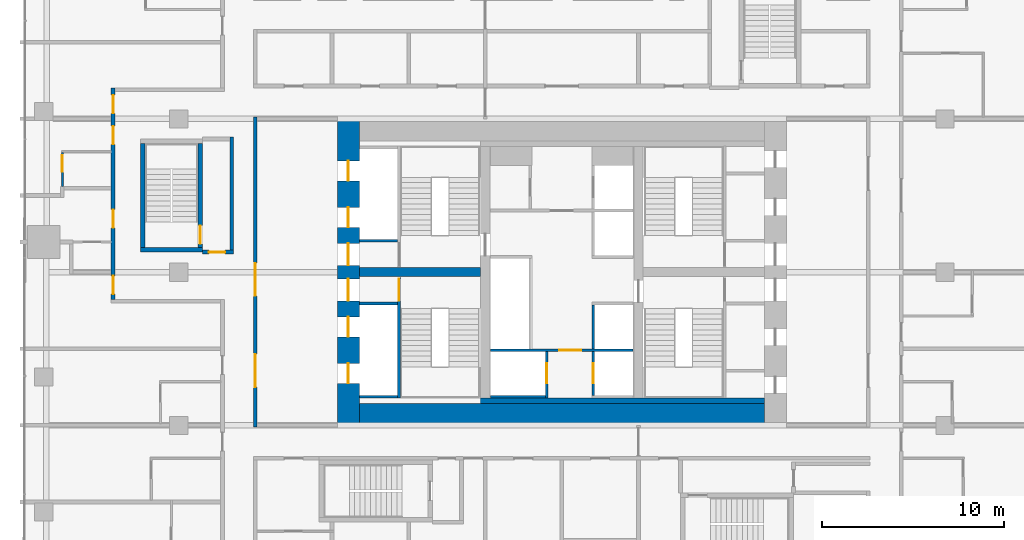
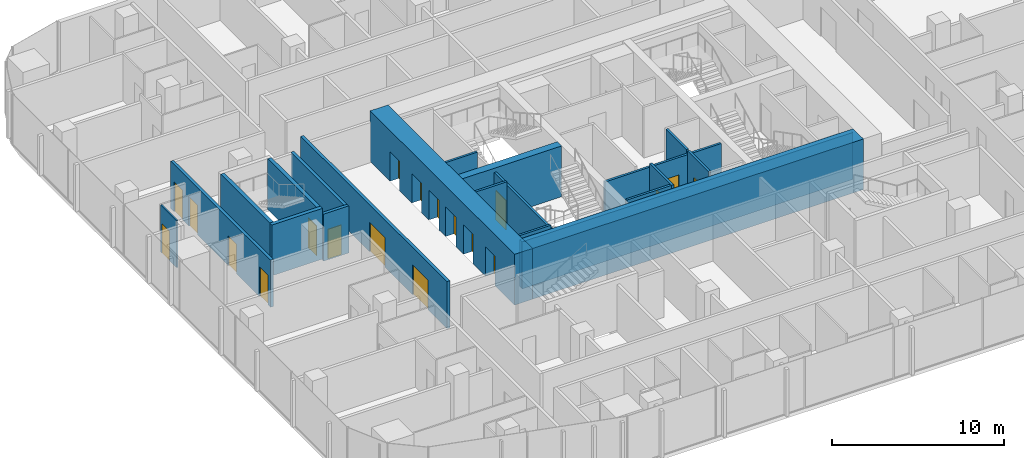
# One storey, part 18 of 26: 21 walls, 19 doors, 19 openings.
"""IFC4 building model written with IfcOpenShell, lengths in metres."""

from ifc_helpers import new_model, si_unit, direction, frame, frame_2d, origin, place, context, subcontext, project, spatial, rectangle, extrude, material, layer, layer_set, type_object, element, fill, save


model = new_model("IFC4")

# Units and contexts
model_context = context("Model", 3, precision=1e-05, world=origin(), true_north=direction((0.0, 1.0)))
body_context = subcontext(model_context, "Body", "Model", "MODEL_VIEW")
ifc_project = project(units=[si_unit("LENGTHUNIT", "METRE"), si_unit("AREAUNIT", "SQUARE_METRE"), si_unit("VOLUMEUNIT", "CUBIC_METRE"), si_unit("PLANEANGLEUNIT", "RADIAN"), si_unit("MASSUNIT", "GRAM", prefix="KILO")], contexts=[model_context])

# Site, building, storey
site_placement = place(None, origin())
site = spatial("IfcSite", under=ifc_project, at=site_placement, CompositionType="ELEMENT")
building_placement = place(site_placement, origin())
building = spatial("IfcBuilding", under=site, at=building_placement, Name="Marenta Gate Hotel Tower", CompositionType="ELEMENT")
storey_placement = place(building_placement, frame((0.0, 0.0, 58.10009765625)))
storey = spatial("IfcBuildingStorey", under=building, at=storey_placement, Name="L12", CompositionType="ELEMENT", Elevation=58.10009765625)

# Wall, openings, doors
ifc_material_1 = material(Name="Concrete blockwork", Category="masonry")
ifc_layer_1 = layer(ifc_material_1, 0.199951171875)
ifc_layer_set_1 = layer_set([ifc_layer_1], Name="Concrete blockwork")
wall_type_1 = type_object("IfcWallType", Name="Core boundary wall 200 REI 180", PredefinedType="PARTITIONING", material=ifc_layer_set_1)
wall_1_placement = place(storey_placement, frame((-16.800048828125, -0.10009765625, 0.0), z_axis=(0.0, 0.0, 1.0), x_axis=(0.0, 1.0, 0.0)))
wall_1 = element("IfcWall", 1, at=wall_1_placement, inside=storey, type_object=wall_type_1, Name="L12-CP-BW-W", PredefinedType="PARTITIONING", context=body_context, shape_type="SweptSolid", body=[
    extrude(rectangle(XDim=17.0, YDim=0.199951171875, at=frame_2d((8.5, 0.0))), origin(), (0.0, 0.0, 1.0), 3.33984375),
])
opening_1_placement = place(wall_1_placement, frame((2.199951171875, 0.0, 0.0)))
opening_1 = element("IfcOpeningElement", 2, at=opening_1_placement, cuts=wall_1, Name="Opening ED-Wa-B", PredefinedType="OPENING", context=body_context, shape_type="SweptSolid", body=[
    extrude(rectangle(XDim=1.800048828125, YDim=2.10009765625, at=frame_2d((0.89990234375, 1.050048828125))), frame((0.0, 0.10009765625, 0.0), z_axis=(0.0, -1.0, 0.0), x_axis=(1.0, 0.0, 0.0)), (0.0, 0.0, 1.0), 0.199951171875),
])
opening_2_placement = place(wall_1_placement, frame((7.199951171875, 0.0, 0.0)))
opening_2 = element("IfcOpeningElement", 3, at=opening_2_placement, cuts=wall_1, Name="Opening ED-Wb-B", PredefinedType="OPENING", context=body_context, shape_type="SweptSolid", body=[
    extrude(rectangle(XDim=1.800048828125, YDim=2.10009765625, at=frame_2d((0.89990234375, 1.050048828125))), frame((0.0, 0.10009765625, 0.0), z_axis=(0.0, -1.0, 0.0), x_axis=(1.0, 0.0, 0.0)), (0.0, 0.0, 1.0), 0.199951171875),
])
ifc_material_2 = material(Name="Steel", Category="steel")
door_type_1 = type_object("IfcDoorType", Name="Core lobby entrance door 1800x2100 EI 60", OperationType="DOUBLE_DOOR_SINGLE_SWING", PredefinedType="DOOR", material=ifc_material_2)
door_1_placement = place(opening_1_placement, origin())
door_1 = element("IfcDoor", 4, at=door_1_placement, inside=storey, type_object=door_type_1, Name="ED-Wa-B", OperationType="DOUBLE_DOOR_SINGLE_SWING", OverallHeight=2.10009765625, OverallWidth=1.800048828125, PredefinedType="DOOR", context=body_context, shape_type="SweptSolid", body=[
    extrude(rectangle(XDim=1.800048828125, YDim=2.10009765625, at=frame_2d((0.89990234375, 1.050048828125))), frame((0.0, 0.02490234375, 0.0), z_axis=(0.0, -1.0, 0.0), x_axis=(1.0, 0.0, 0.0)), (0.0, 0.0, 1.0), 0.050048828125),
])
fill(opening_1, door_1)
door_2_placement = place(opening_2_placement, origin())
door_2 = element("IfcDoor", 5, at=door_2_placement, inside=storey, type_object=door_type_1, Name="ED-Wb-B", OperationType="DOUBLE_DOOR_SINGLE_SWING", OverallHeight=2.10009765625, OverallWidth=1.800048828125, PredefinedType="DOOR", context=body_context, shape_type="SweptSolid", body=[
    extrude(rectangle(XDim=1.800048828125, YDim=2.10009765625, at=frame_2d((0.89990234375, 1.050048828125))), frame((0.0, 0.02490234375, 0.0), z_axis=(0.0, -1.0, 0.0), x_axis=(1.0, 0.0, 0.0)), (0.0, 0.0, 1.0), 0.050048828125),
])
fill(opening_2, door_2)

# Wall
ifc_material_3 = material(Name="Concrete C40", Category="concrete")
ifc_layer_2 = layer(ifc_material_3, 0.300048828125)
ifc_layer_set_2 = layer_set([ifc_layer_2], Name="Concrete C40")
wall_type_2 = type_object("IfcWallType", Name="Core lining wall 300 REI 180", PredefinedType="PARTITIONING", material=ifc_layer_set_2)
wall_2_placement = place(storey_placement, frame((-11.10009765625, 1.35009765625, 0.0), z_axis=(0.0, 0.0, 1.0), x_axis=(1.0, 0.0, 0.0)))
element("IfcWall", 6, at=wall_2_placement, inside=storey, type_object=wall_type_2, Name="L12-CP-LN-S", PredefinedType="PARTITIONING", context=body_context, shape_type="SweptSolid", body=[
    extrude(rectangle(XDim=22.2001953125, YDim=0.300048828125, at=frame_2d((11.10009765625, 0.0))), origin(), (0.0, 0.0, 1.0), 3.33984375),
])

# Wall, opening, door
ifc_material_4 = material(Name="Concrete blockwork", Category="masonry")
ifc_layer_3 = layer(ifc_material_4, 0.14990234375)
ifc_layer_set_3 = layer_set([ifc_layer_3], Name="Concrete blockwork")
wall_type_3 = type_object("IfcWallType", Name="Core lobby partition 150 REI 180", PredefinedType="PARTITIONING", material=ifc_layer_set_3)
wall_3_placement = place(storey_placement, frame((-3.89990234375, 4.125, 0.0), z_axis=(0.0, 0.0, 1.0), x_axis=(1.0, 0.0, 0.0)))
wall_3 = element("IfcWall", 7, at=wall_3_placement, inside=storey, type_object=wall_type_3, Name="L12-CP-CW-S", PredefinedType="PARTITIONING", context=body_context, shape_type="SweptSolid", body=[
    extrude(rectangle(XDim=7.7998046875, YDim=0.14990234375, at=frame_2d((3.89990234375, 0.0))), origin(), (0.0, 0.0, 1.0), 3.33984375),
])
opening_3_placement = place(wall_3_placement, frame((3.75, 0.0, 0.0)))
opening_3 = element("IfcOpeningElement", 8, at=opening_3_placement, cuts=wall_3, Name="Opening FD-FFS", PredefinedType="OPENING", context=body_context, shape_type="SweptSolid", body=[
    extrude(rectangle(XDim=1.199951171875, YDim=2.10009765625, at=frame_2d((0.60009765625, 1.050048828125))), frame((0.0, 0.074951171875, 0.0), z_axis=(0.0, -1.0, 0.0), x_axis=(1.0, 0.0, 0.0)), (0.0, 0.0, 1.0), 0.14990234375),
])
ifc_material_5 = material(Name="Steel", Category="steel")
door_type_2 = type_object("IfcDoorType", Name="Core lobby door 1200x2100 FD60", OperationType="SINGLE_SWING_LEFT", PredefinedType="DOOR", material=ifc_material_5)
door_3_placement = place(opening_3_placement, origin())
door_3 = element("IfcDoor", 9, at=door_3_placement, inside=storey, type_object=door_type_2, Name="FD-FFS", OperationType="SINGLE_SWING_LEFT", OverallHeight=2.10009765625, OverallWidth=1.199951171875, PredefinedType="DOOR", context=body_context, shape_type="SweptSolid", body=[
    extrude(rectangle(XDim=1.199951171875, YDim=2.10009765625, at=frame_2d((0.60009765625, 1.050048828125))), frame((0.0, 0.02490234375, 0.0), z_axis=(0.0, -1.0, 0.0), x_axis=(1.0, 0.0, 0.0)), (0.0, 0.0, 1.0), 0.050048828125),
])
fill(opening_3, door_3)

# Walls
ifc_material_6 = material(Name="Concrete C40", Category="concrete")
ifc_layer_4 = layer(ifc_material_6, 0.14990234375)
ifc_layer_set_4 = layer_set([ifc_layer_4], Name="Concrete C40")
wall_type_4 = type_object("IfcWallType", Name="Core shaft wall 150 REI 180", PredefinedType="SHEAR", material=ifc_layer_set_4)
for number, where, z_axis, x_axis, name in (
    (10, (-11.10009765625, 6.675048828125, 0.0), (0.0, 0.0, 1.0), (1.0, 0.0, 0.0), "L12-SHF-SW-WS-2"),
    (11, (-11.10009765625, 1.574951171875, 0.0), (0.0, 0.0, 1.0), (1.0, 0.0, 0.0), "L12-SHF-SW-WS-5"),
    (12, (-11.10009765625, 10.125, 0.0), (0.0, 0.0, 1.0), (1.0, 0.0, 0.0), "L12-SHF-SW-WN-2"),
):
    element("IfcWall", number, at=place(storey_placement, frame(where, z_axis=z_axis, x_axis=x_axis)), inside=storey, type_object=wall_type_4, Name=name, PredefinedType="SHEAR", context=body_context, shape_type="SweptSolid", body=[
        extrude(rectangle(XDim=2.10009765625, YDim=0.14990234375, at=frame_2d((1.050048828125, 0.0))), origin(), (0.0, 0.0, 1.0), 3.599853515625),
    ])

# Wall, opening, door
wall_4_placement = place(storey_placement, frame((-0.824951171875, 1.5, 0.0), z_axis=(0.0, 0.0, 1.0), x_axis=(0.0, 1.0, 0.0)))
wall_4 = element("IfcWall", 13, at=wall_4_placement, inside=storey, type_object=wall_type_4, Name="L12-SHF-CW-W-ff", PredefinedType="SHEAR", context=body_context, shape_type="SweptSolid", body=[
    extrude(rectangle(XDim=2.550048828125, YDim=0.14990234375, at=frame_2d((1.27490234375, 0.0))), origin(), (0.0, 0.0, 1.0), 3.599853515625),
])
opening_4_placement = place(wall_4_placement, frame((0.800048828125, 0.0, 0.0)))
opening_4 = element("IfcOpeningElement", 14, at=opening_4_placement, cuts=wall_4, Name="Opening LD-FF1", PredefinedType="OPENING", context=body_context, shape_type="SweptSolid", body=[
    extrude(rectangle(XDim=1.10009765625, YDim=2.10009765625, at=frame_2d((0.550048828125, 1.050048828125))), frame((0.0, 0.074951171875, 0.0), z_axis=(0.0, -1.0, 0.0), x_axis=(1.0, 0.0, 0.0)), (0.0, 0.0, 1.0), 0.14990234375),
])
ifc_material_7 = material(Name="Steel", Category="steel")
door_type_3 = type_object("IfcDoorType", Name="Core lift landing door 1100x2100 E 60", OperationType="SLIDING_TO_LEFT", PredefinedType="DOOR", material=ifc_material_7)
door_4_placement = place(opening_4_placement, origin())
door_4 = element("IfcDoor", 15, at=door_4_placement, inside=storey, type_object=door_type_3, Name="LD-FF1", OperationType="SLIDING_TO_LEFT", OverallHeight=2.10009765625, OverallWidth=1.10009765625, PredefinedType="DOOR", context=body_context, shape_type="SweptSolid", body=[
    extrude(rectangle(XDim=1.10009765625, YDim=2.10009765625, at=frame_2d((0.550048828125, 1.050048828125))), frame((0.0, 0.02490234375, 0.0), z_axis=(0.0, -1.0, 0.0), x_axis=(1.0, 0.0, 0.0)), (0.0, 0.0, 1.0), 0.050048828125),
])
fill(opening_4, door_4)

# Wall
wall_5_placement = place(storey_placement, frame((-3.89990234375, 1.574951171875, 0.0), z_axis=(0.0, 0.0, 1.0), x_axis=(1.0, 0.0, 0.0)))
element("IfcWall", 16, at=wall_5_placement, inside=storey, type_object=wall_type_4, Name="L12-SHF-CW-W-ffs", PredefinedType="SHEAR", context=body_context, shape_type="SweptSolid", body=[
    extrude(rectangle(XDim=3.0, YDim=0.14990234375, at=frame_2d((1.5, 0.0))), origin(), (0.0, 0.0, 1.0), 3.599853515625),
])

# Wall, opening, door
wall_6_placement = place(storey_placement, frame((1.72509765625, 1.64990234375, 0.0), z_axis=(0.0, 0.0, 1.0), x_axis=(0.0, 1.0, 0.0)))
wall_6 = element("IfcWall", 17, at=wall_6_placement, inside=storey, type_object=wall_type_4, Name="L12-SHF-CE-S-ls", PredefinedType="SHEAR", context=body_context, shape_type="SweptSolid", body=[
    extrude(rectangle(XDim=2.400146484375, YDim=0.14990234375, at=frame_2d((1.2001953125, 0.0))), origin(), (0.0, 0.0, 1.0), 3.599853515625),
])
opening_5_placement = place(wall_6_placement, frame((0.64990234375, 0.0, 0.0)))
opening_5 = element("IfcOpeningElement", 18, at=opening_5_placement, cuts=wall_6, Name="Opening LD-SV1", PredefinedType="OPENING", context=body_context, shape_type="SweptSolid", body=[
    extrude(rectangle(XDim=1.10009765625, YDim=2.10009765625, at=frame_2d((0.550048828125, 1.050048828125))), frame((0.0, 0.074951171875, 0.0), z_axis=(0.0, -1.0, 0.0), x_axis=(1.0, 0.0, 0.0)), (0.0, 0.0, 1.0), 0.14990234375),
])
door_5_placement = place(opening_5_placement, origin())
door_5 = element("IfcDoor", 19, at=door_5_placement, inside=storey, type_object=door_type_3, Name="LD-SV1", OperationType="SLIDING_TO_LEFT", OverallHeight=2.10009765625, OverallWidth=1.10009765625, PredefinedType="DOOR", context=body_context, shape_type="SweptSolid", body=[
    extrude(rectangle(XDim=1.10009765625, YDim=2.10009765625, at=frame_2d((0.550048828125, 1.050048828125))), frame((0.0, 0.02490234375, 0.0), z_axis=(0.0, -1.0, 0.0), x_axis=(1.0, 0.0, 0.0)), (0.0, 0.0, 1.0), 0.050048828125),
])
fill(opening_5, door_5)

# Wall
wall_7_placement = place(storey_placement, frame((1.72509765625, 4.199951171875, 0.0), z_axis=(0.0, 0.0, 1.0), x_axis=(0.0, 1.0, 0.0)))
element("IfcWall", 20, at=wall_7_placement, inside=storey, type_object=wall_type_4, Name="L12-SHF-CE-front-1", PredefinedType="SHEAR", context=body_context, shape_type="SweptSolid", body=[
    extrude(rectangle(XDim=2.400146484375, YDim=0.14990234375, at=frame_2d((1.2001953125, 0.0))), origin(), (0.0, 0.0, 1.0), 3.599853515625),
])

# Wall, opening, door
ifc_material_8 = material(Name="Concrete C40", Category="concrete")
ifc_layer_5 = layer(ifc_material_8, 0.14990234375)
ifc_layer_set_5 = layer_set([ifc_layer_5], Name="Concrete C40")
wall_type_5 = type_object("IfcWallType", Name="Core stair enclosure wall 150 REI 180", PredefinedType="SHEAR", material=ifc_layer_set_5)
wall_8_placement = place(storey_placement, frame((-8.925048828125, 1.5, 0.0), z_axis=(0.0, 0.0, 1.0), x_axis=(0.0, 1.0, 0.0)))
wall_8 = element("IfcWall", 21, at=wall_8_placement, inside=storey, type_object=wall_type_5, Name="L12-SHF-SW-WS-3", PredefinedType="SHEAR", context=body_context, shape_type="SweptSolid", body=[
    extrude(rectangle(XDim=6.60009765625, YDim=0.14990234375, at=frame_2d((3.300048828125, 0.0))), origin(), (0.0, 0.0, 1.0), 3.33984375),
])
opening_6_placement = place(wall_8_placement, frame((5.324951171875, 0.0, 0.0)))
opening_6 = element("IfcOpeningElement", 22, at=opening_6_placement, cuts=wall_8, Name="Opening SD-WS", PredefinedType="OPENING", context=body_context, shape_type="SweptSolid", body=[
    extrude(rectangle(XDim=1.199951171875, YDim=2.10009765625, at=frame_2d((0.60009765625, 1.050048828125))), frame((0.0, 0.074951171875, 0.0), z_axis=(0.0, -1.0, 0.0), x_axis=(1.0, 0.0, 0.0)), (0.0, 0.0, 1.0), 0.14990234375),
])
ifc_material_9 = material(Name="Steel", Category="steel")
door_type_4 = type_object("IfcDoorType", Name="Core stair door 1200x2100 FD60", OperationType="SINGLE_SWING_LEFT", PredefinedType="DOOR", material=ifc_material_9)
door_6_placement = place(opening_6_placement, origin())
door_6 = element("IfcDoor", 23, at=door_6_placement, inside=storey, type_object=door_type_4, Name="SD-WS", OperationType="SINGLE_SWING_LEFT", OverallHeight=2.10009765625, OverallWidth=1.199951171875, PredefinedType="DOOR", context=body_context, shape_type="SweptSolid", body=[
    extrude(rectangle(XDim=1.199951171875, YDim=2.10009765625, at=frame_2d((0.60009765625, 1.050048828125))), frame((0.0, 0.02490234375, 0.0), z_axis=(0.0, -1.0, 0.0), x_axis=(1.0, 0.0, 0.0)), (0.0, 0.0, 1.0), 0.050048828125),
])
fill(opening_6, door_6)

# Wall, openings, doors
ifc_material_10 = material(Name="Concrete C80", Category="concrete")
ifc_layer_6 = layer(ifc_material_10, 1.199951171875)
ifc_layer_set_6 = layer_set([ifc_layer_6], Name="Concrete C80")
wall_type_6 = type_object("IfcWallType", Name="Core wall 1200 C80", PredefinedType="SHEAR", material=ifc_layer_set_6)
wall_9_placement = place(storey_placement, frame((-11.699951171875, 0.0, 0.0), z_axis=(0.0, 0.0, 1.0), x_axis=(0.0, 1.0, 0.0)))
wall_9 = element("IfcWall", 24, at=wall_9_placement, inside=storey, type_object=wall_type_6, Name="L12-CORE-W", PredefinedType="SHEAR", context=body_context, shape_type="SweptSolid", body=[
    extrude(rectangle(XDim=16.800048828125, YDim=1.199951171875, at=frame_2d((8.39990234375, 0.0))), origin(), (0.0, 0.0, 1.0), 3.599853515625),
])
opening_7_placement = place(wall_9_placement, frame((2.300048828125, 0.0, 0.0)))
opening_7 = element("IfcOpeningElement", 25, at=opening_7_placement, cuts=wall_9, Name="Opening LD-LR1", PredefinedType="OPENING", context=body_context, shape_type="SweptSolid", body=[
    extrude(rectangle(XDim=1.10009765625, YDim=2.10009765625, at=frame_2d((0.550048828125, 1.050048828125))), frame((0.0, 0.60009765625, 0.0), z_axis=(0.0, -1.0, 0.0), x_axis=(1.0, 0.0, 0.0)), (0.0, 0.0, 1.0), 1.199951171875),
])
opening_8_placement = place(wall_9_placement, frame((4.85009765625, 0.0, 0.0)))
opening_8 = element("IfcOpeningElement", 26, at=opening_8_placement, cuts=wall_9, Name="Opening LD-LR2", PredefinedType="OPENING", context=body_context, shape_type="SweptSolid", body=[
    extrude(rectangle(XDim=1.10009765625, YDim=2.10009765625, at=frame_2d((0.550048828125, 1.050048828125))), frame((0.0, 0.60009765625, 0.0), z_axis=(0.0, -1.0, 0.0), x_axis=(1.0, 0.0, 0.0)), (0.0, 0.0, 1.0), 1.199951171875),
])
opening_9_placement = place(wall_9_placement, frame((6.824951171875, 0.0, 0.0)))
opening_9 = element("IfcOpeningElement", 27, at=opening_9_placement, cuts=wall_9, Name="Opening PD-WS", PredefinedType="OPENING", context=body_context, shape_type="SweptSolid", body=[
    extrude(rectangle(XDim=1.199951171875, YDim=2.10009765625, at=frame_2d((0.60009765625, 1.050048828125))), frame((0.0, 0.60009765625, 0.0), z_axis=(0.0, -1.0, 0.0), x_axis=(1.0, 0.0, 0.0)), (0.0, 0.0, 1.0), 1.199951171875),
])
opening_10_placement = place(wall_9_placement, frame((13.39990234375, 0.0, 0.0)))
opening_10 = element("IfcOpeningElement", 28, at=opening_10_placement, cuts=wall_9, Name="Opening LD-LR4", PredefinedType="OPENING", context=body_context, shape_type="SweptSolid", body=[
    extrude(rectangle(XDim=1.10009765625, YDim=2.10009765625, at=frame_2d((0.550048828125, 1.050048828125))), frame((0.0, 0.60009765625, 0.0), z_axis=(0.0, -1.0, 0.0), x_axis=(1.0, 0.0, 0.0)), (0.0, 0.0, 1.0), 1.199951171875),
])
opening_11_placement = place(wall_9_placement, frame((10.85009765625, 0.0, 0.0)))
opening_11 = element("IfcOpeningElement", 29, at=opening_11_placement, cuts=wall_9, Name="Opening LD-LR3", PredefinedType="OPENING", context=body_context, shape_type="SweptSolid", body=[
    extrude(rectangle(XDim=1.10009765625, YDim=2.10009765625, at=frame_2d((0.550048828125, 1.050048828125))), frame((0.0, 0.60009765625, 0.0), z_axis=(0.0, -1.0, 0.0), x_axis=(1.0, 0.0, 0.0)), (0.0, 0.0, 1.0), 1.199951171875),
])
opening_12_placement = place(wall_9_placement, frame((8.77490234375, 0.0, 0.0)))
opening_12 = element("IfcOpeningElement", 30, at=opening_12_placement, cuts=wall_9, Name="Opening PD-WN", PredefinedType="OPENING", context=body_context, shape_type="SweptSolid", body=[
    extrude(rectangle(XDim=1.199951171875, YDim=2.10009765625, at=frame_2d((0.60009765625, 1.050048828125))), frame((0.0, 0.60009765625, 0.0), z_axis=(0.0, -1.0, 0.0), x_axis=(1.0, 0.0, 0.0)), (0.0, 0.0, 1.0), 1.199951171875),
])
door_7_placement = place(opening_7_placement, origin())
door_7 = element("IfcDoor", 31, at=door_7_placement, inside=storey, type_object=door_type_3, Name="LD-LR1", OperationType="SLIDING_TO_LEFT", OverallHeight=2.10009765625, OverallWidth=1.10009765625, PredefinedType="DOOR", context=body_context, shape_type="SweptSolid", body=[
    extrude(rectangle(XDim=1.10009765625, YDim=2.10009765625, at=frame_2d((0.550048828125, 1.050048828125))), frame((0.0, 0.02490234375, 0.0), z_axis=(0.0, -1.0, 0.0), x_axis=(1.0, 0.0, 0.0)), (0.0, 0.0, 1.0), 0.050048828125),
])
fill(opening_7, door_7)
door_8_placement = place(opening_8_placement, origin())
door_8 = element("IfcDoor", 32, at=door_8_placement, inside=storey, type_object=door_type_3, Name="LD-LR2", OperationType="SLIDING_TO_LEFT", OverallHeight=2.10009765625, OverallWidth=1.10009765625, PredefinedType="DOOR", context=body_context, shape_type="SweptSolid", body=[
    extrude(rectangle(XDim=1.10009765625, YDim=2.10009765625, at=frame_2d((0.550048828125, 1.050048828125))), frame((0.0, 0.02490234375, 0.0), z_axis=(0.0, -1.0, 0.0), x_axis=(1.0, 0.0, 0.0)), (0.0, 0.0, 1.0), 0.050048828125),
])
fill(opening_8, door_8)
door_9_placement = place(opening_10_placement, origin())
door_9 = element("IfcDoor", 33, at=door_9_placement, inside=storey, type_object=door_type_3, Name="LD-LR4", OperationType="SLIDING_TO_LEFT", OverallHeight=2.10009765625, OverallWidth=1.10009765625, PredefinedType="DOOR", context=body_context, shape_type="SweptSolid", body=[
    extrude(rectangle(XDim=1.10009765625, YDim=2.10009765625, at=frame_2d((0.550048828125, 1.050048828125))), frame((0.0, 0.02490234375, 0.0), z_axis=(0.0, -1.0, 0.0), x_axis=(1.0, 0.0, 0.0)), (0.0, 0.0, 1.0), 0.050048828125),
])
fill(opening_10, door_9)
door_10_placement = place(opening_11_placement, origin())
door_10 = element("IfcDoor", 34, at=door_10_placement, inside=storey, type_object=door_type_3, Name="LD-LR3", OperationType="SLIDING_TO_LEFT", OverallHeight=2.10009765625, OverallWidth=1.10009765625, PredefinedType="DOOR", context=body_context, shape_type="SweptSolid", body=[
    extrude(rectangle(XDim=1.10009765625, YDim=2.10009765625, at=frame_2d((0.550048828125, 1.050048828125))), frame((0.0, 0.02490234375, 0.0), z_axis=(0.0, -1.0, 0.0), x_axis=(1.0, 0.0, 0.0)), (0.0, 0.0, 1.0), 0.050048828125),
])
fill(opening_11, door_10)
door_11_placement = place(opening_9_placement, origin())
door_11 = element("IfcDoor", 35, at=door_11_placement, inside=storey, type_object=door_type_2, Name="PD-WS", OperationType="SINGLE_SWING_LEFT", OverallHeight=2.10009765625, OverallWidth=1.199951171875, PredefinedType="DOOR", context=body_context, shape_type="SweptSolid", body=[
    extrude(rectangle(XDim=1.199951171875, YDim=2.10009765625, at=frame_2d((0.60009765625, 1.050048828125))), frame((0.0, 0.02490234375, 0.0), z_axis=(0.0, -1.0, 0.0), x_axis=(1.0, 0.0, 0.0)), (0.0, 0.0, 1.0), 0.050048828125),
])
fill(opening_9, door_11)
door_12_placement = place(opening_12_placement, origin())
door_12 = element("IfcDoor", 36, at=door_12_placement, inside=storey, type_object=door_type_2, Name="PD-WN", OperationType="SINGLE_SWING_LEFT", OverallHeight=2.10009765625, OverallWidth=1.199951171875, PredefinedType="DOOR", context=body_context, shape_type="SweptSolid", body=[
    extrude(rectangle(XDim=1.199951171875, YDim=2.10009765625, at=frame_2d((0.60009765625, 1.050048828125))), frame((0.0, 0.02490234375, 0.0), z_axis=(0.0, -1.0, 0.0), x_axis=(1.0, 0.0, 0.0)), (0.0, 0.0, 1.0), 0.050048828125),
])
fill(opening_12, door_12)

# Walls
wall_10_placement = place(storey_placement, frame((-11.10009765625, 0.60009765625, 0.0), z_axis=(0.0, 0.0, 1.0), x_axis=(1.0, 0.0, 0.0)))
element("IfcWall", 37, at=wall_10_placement, inside=storey, type_object=wall_type_6, Name="L12-CORE-S", PredefinedType="SHEAR", context=body_context, shape_type="SweptSolid", body=[
    extrude(rectangle(XDim=22.2001953125, YDim=1.199951171875, at=frame_2d((11.10009765625, 0.0))), origin(), (0.0, 0.0, 1.0), 3.599853515625),
])
ifc_material_11 = material(Name="Concrete C80", Category="concrete")
ifc_layer_7 = layer(ifc_material_11, 0.5)
ifc_layer_set_7 = layer_set([ifc_layer_7], Name="Concrete C80")
wall_type_7 = type_object("IfcWallType", Name="Core web 500 C80", PredefinedType="SHEAR", material=ifc_layer_set_7)
wall_11_placement = place(storey_placement, frame((-11.10009765625, 8.39990234375, 0.0), z_axis=(0.0, 0.0, 1.0), x_axis=(1.0, 0.0, 0.0)))
element("IfcWall", 38, at=wall_11_placement, inside=storey, type_object=wall_type_7, Name="L12-CORE-W3", PredefinedType="SHEAR", context=body_context, shape_type="SweptSolid", body=[
    extrude(rectangle(XDim=6.650146484375, YDim=0.5, at=frame_2d((3.3251953125, 0.0))), origin(), (0.0, 0.0, 1.0), 3.599853515625),
])
ifc_material_12 = material(Name="Concrete C40", Category="concrete")
ifc_layer_8 = layer(ifc_material_12, 0.25)
ifc_layer_set_8 = layer_set([ifc_layer_8], Name="Concrete C40")
wall_type_8 = type_object("IfcWallType", Name="Remote stair enclosure wall 250 REI 180", PredefinedType="SHEAR", material=ifc_layer_set_8)
wall_12_placement = place(storey_placement, frame((-23.10009765625, 9.625, 0.099853515625), z_axis=(0.0, 0.0, 1.0), x_axis=(1.0, 0.0, 0.0)))
element("IfcWall", 39, at=wall_12_placement, inside=storey, type_object=wall_type_8, Name="L12-RS-Z1-3-W1", PredefinedType="SHEAR", context=body_context, shape_type="SweptSolid", body=[
    extrude(rectangle(XDim=3.400146484375, YDim=0.25, at=frame_2d((1.7001953125, 0.0))), origin(), (0.0, 0.0, 1.0), 3.60009765625),
])
wall_13_placement = place(storey_placement, frame((-22.97509765625, 9.75, 0.099853515625), z_axis=(0.0, 0.0, 1.0), x_axis=(0.0, 1.0, 0.0)))
element("IfcWall", 40, at=wall_13_placement, inside=storey, type_object=wall_type_8, Name="L12-RS-Z1-3-W3", PredefinedType="SHEAR", context=body_context, shape_type="SweptSolid", body=[
    extrude(rectangle(XDim=5.699951171875, YDim=0.25, at=frame_2d((2.85009765625, 0.0))), origin(), (0.0, 0.0, 1.0), 3.60009765625),
])

# Wall, opening, door
wall_14_placement = place(storey_placement, frame((-19.824951171875, 9.75, 0.099853515625), z_axis=(0.0, 0.0, 1.0), x_axis=(0.0, 1.0, 0.0)))
wall_14 = element("IfcWall", 41, at=wall_14_placement, inside=storey, type_object=wall_type_8, Name="L12-RS-Z1-3-W4", PredefinedType="SHEAR", context=body_context, shape_type="SweptSolid", body=[
    extrude(rectangle(XDim=5.699951171875, YDim=0.25, at=frame_2d((2.85009765625, 0.0))), origin(), (0.0, 0.0, 1.0), 3.60009765625),
])
opening_13_placement = place(wall_14_placement, frame((0.199951171875, 0.0, 0.0)))
opening_13 = element("IfcOpeningElement", 42, at=opening_13_placement, cuts=wall_14, Name="Opening VD", PredefinedType="OPENING", context=body_context, shape_type="SweptSolid", body=[
    extrude(rectangle(XDim=1.0, YDim=2.10009765625, at=frame_2d((0.5, 1.050048828125))), frame((0.0, 0.125, 0.0), z_axis=(0.0, -1.0, 0.0), x_axis=(1.0, 0.0, 0.0)), (0.0, 0.0, 1.0), 0.25),
])
ifc_material_13 = material(Name="Steel", Category="steel")
door_type_5 = type_object("IfcDoorType", Name="Stair vestibule door 1000x2100 FD60", OperationType="SINGLE_SWING_LEFT", PredefinedType="DOOR", material=ifc_material_13)
door_13_placement = place(opening_13_placement, origin())
door_13 = element("IfcDoor", 43, at=door_13_placement, inside=storey, type_object=door_type_5, Name="VD", OperationType="SINGLE_SWING_LEFT", OverallHeight=2.10009765625, OverallWidth=1.0, PredefinedType="DOOR", context=body_context, shape_type="SweptSolid", body=[
    extrude(rectangle(XDim=1.0, YDim=2.10009765625, at=frame_2d((0.5, 1.050048828125))), frame((0.0, 0.02490234375, 0.0), z_axis=(0.0, -1.0, 0.0), x_axis=(1.0, 0.0, 0.0)), (0.0, 0.0, 1.0), 0.050048828125),
])
fill(opening_13, door_13)

# Wall, openings, doors
ifc_material_14 = material(Name="Gypsum board on steel stud", Category="steel")
ifc_layer_9 = layer(ifc_material_14, 0.199951171875)
ifc_layer_set_9 = layer_set([ifc_layer_9], Name="Gypsum board on steel stud")
wall_type_9 = type_object("IfcWallType", Name="Room corridor wall 200 EI 60", PredefinedType="PARTITIONING", material=ifc_layer_set_9)
wall_15_placement = place(storey_placement, frame((-24.60009765625, 6.89990234375, 0.0), z_axis=(0.0, 0.0, 1.0), x_axis=(0.0, 1.0, 0.0)))
wall_15 = element("IfcWall", 44, at=wall_15_placement, inside=storey, type_object=wall_type_9, Name="L12-PTN-W137", PredefinedType="PARTITIONING", context=body_context, shape_type="SweptSolid", body=[
    extrude(rectangle(XDim=11.60009765625, YDim=0.199951171875, at=frame_2d((5.800048828125, 0.0))), origin(), (0.0, 0.0, 1.0), 3.33984375),
])
opening_14_placement = place(wall_15_placement, frame((8.5, 0.0, 0.0)))
opening_14 = element("IfcOpeningElement", 45, at=opening_14_placement, cuts=wall_15, Name="Opening G04-59", PredefinedType="OPENING", context=body_context, shape_type="SweptSolid", body=[
    extrude(rectangle(XDim=1.0, YDim=2.10009765625, at=frame_2d((0.5, 1.050048828125))), frame((0.0, 0.10009765625, 0.0), z_axis=(0.0, -1.0, 0.0), x_axis=(1.0, 0.0, 0.0)), (0.0, 0.0, 1.0), 0.199951171875),
])
opening_15_placement = place(wall_15_placement, frame((10.199951171875, 0.0, 0.0)))
opening_15 = element("IfcOpeningElement", 46, at=opening_15_placement, cuts=wall_15, Name="Opening G04-73", PredefinedType="OPENING", context=body_context, shape_type="SweptSolid", body=[
    extrude(rectangle(XDim=1.0, YDim=2.10009765625, at=frame_2d((0.5, 1.050048828125))), frame((0.0, 0.10009765625, 0.0), z_axis=(0.0, -1.0, 0.0), x_axis=(1.0, 0.0, 0.0)), (0.0, 0.0, 1.0), 0.199951171875),
])
opening_16_placement = place(wall_15_placement, frame((0.300048828125, 0.0, 0.0)))
opening_16 = element("IfcOpeningElement", 47, at=opening_16_placement, cuts=wall_15, Name="Opening G04-74", PredefinedType="OPENING", context=body_context, shape_type="SweptSolid", body=[
    extrude(rectangle(XDim=1.0, YDim=2.10009765625, at=frame_2d((0.5, 1.050048828125))), frame((0.0, 0.10009765625, 0.0), z_axis=(0.0, -1.0, 0.0), x_axis=(1.0, 0.0, 0.0)), (0.0, 0.0, 1.0), 0.199951171875),
])
opening_17_placement = place(wall_15_placement, frame((3.925048828125, 0.0, 0.0)))
opening_17 = element("IfcOpeningElement", 48, at=opening_17_placement, cuts=wall_15, Name="Opening G04-86", PredefinedType="OPENING", context=body_context, shape_type="SweptSolid", body=[
    extrude(rectangle(XDim=1.0, YDim=2.10009765625, at=frame_2d((0.5, 1.050048828125))), frame((0.0, 0.10009765625, 0.0), z_axis=(0.0, -1.0, 0.0), x_axis=(1.0, 0.0, 0.0)), (0.0, 0.0, 1.0), 0.199951171875),
])
ifc_material_15 = material(Name="Timber door leaf", Category="wood")
door_type_6 = type_object("IfcDoorType", Name="Guest room door 1000x2100 EI 30", OperationType="NOTDEFINED", PredefinedType="DOOR", material=ifc_material_15)
door_14_placement = place(opening_14_placement, origin())
door_14 = element("IfcDoor", 49, at=door_14_placement, inside=storey, type_object=door_type_6, Name="L12-PD-D059", OperationType="SINGLE_SWING_RIGHT", OverallHeight=2.10009765625, OverallWidth=1.0, PredefinedType="DOOR", context=body_context, shape_type="SweptSolid", body=[
    extrude(rectangle(XDim=1.0, YDim=2.10009765625, at=frame_2d((0.5, 1.050048828125))), frame((0.0, 0.02490234375, 0.0), z_axis=(0.0, -1.0, 0.0), x_axis=(1.0, 0.0, 0.0)), (0.0, 0.0, 1.0), 0.050048828125),
])
fill(opening_14, door_14)
door_15_placement = place(opening_17_placement, origin())
door_15 = element("IfcDoor", 50, at=door_15_placement, inside=storey, type_object=door_type_6, Name="L12-PD-D086", OperationType="SINGLE_SWING_LEFT", OverallHeight=2.10009765625, OverallWidth=1.0, PredefinedType="DOOR", context=body_context, shape_type="SweptSolid", body=[
    extrude(rectangle(XDim=1.0, YDim=2.10009765625, at=frame_2d((0.5, 1.050048828125))), frame((0.0, 0.02490234375, 0.0), z_axis=(0.0, -1.0, 0.0), x_axis=(1.0, 0.0, 0.0)), (0.0, 0.0, 1.0), 0.050048828125),
])
fill(opening_17, door_15)
ifc_material_16 = material(Name="Timber door leaf", Category="wood")
door_type_7 = type_object("IfcDoorType", Name="Room amenity door 1000x2100 EI 30", OperationType="NOTDEFINED", PredefinedType="DOOR", material=ifc_material_16)
door_16_placement = place(opening_15_placement, origin())
door_16 = element("IfcDoor", 51, at=door_16_placement, inside=storey, type_object=door_type_7, Name="L12-PD-D073", OperationType="SINGLE_SWING_LEFT", OverallHeight=2.10009765625, OverallWidth=1.0, PredefinedType="DOOR", context=body_context, shape_type="SweptSolid", body=[
    extrude(rectangle(XDim=1.0, YDim=2.10009765625, at=frame_2d((0.5, 1.050048828125))), frame((0.0, 0.02490234375, 0.0), z_axis=(0.0, -1.0, 0.0), x_axis=(1.0, 0.0, 0.0)), (0.0, 0.0, 1.0), 0.050048828125),
])
fill(opening_15, door_16)
door_17_placement = place(opening_16_placement, origin())
door_17 = element("IfcDoor", 52, at=door_17_placement, inside=storey, type_object=door_type_7, Name="L12-PD-D074", OperationType="SINGLE_SWING_LEFT", OverallHeight=2.10009765625, OverallWidth=1.0, PredefinedType="DOOR", context=body_context, shape_type="SweptSolid", body=[
    extrude(rectangle(XDim=1.0, YDim=2.10009765625, at=frame_2d((0.5, 1.050048828125))), frame((0.0, 0.02490234375, 0.0), z_axis=(0.0, -1.0, 0.0), x_axis=(1.0, 0.0, 0.0)), (0.0, 0.0, 1.0), 0.050048828125),
])
fill(opening_16, door_17)

# Wall, opening, door
ifc_material_17 = material(Name="Concrete blockwork", Category="masonry")
ifc_layer_10 = layer(ifc_material_17, 0.199951171875)
ifc_layer_set_10 = layer_set([ifc_layer_10], Name="Concrete blockwork")
wall_type_10 = type_object("IfcWallType", Name="Room corridor wall 200 REI 180", PredefinedType="PARTITIONING", material=ifc_layer_set_10)
wall_16_placement = place(storey_placement, frame((-19.699951171875, 9.5, 0.0), z_axis=(0.0, 0.0, 1.0), x_axis=(1.0, 0.0, 0.0)))
wall_16 = element("IfcWall", 53, at=wall_16_placement, inside=storey, type_object=wall_type_10, Name="L12-PTN-W092", PredefinedType="PARTITIONING", context=body_context, shape_type="SweptSolid", body=[
    extrude(rectangle(XDim=1.699951171875, YDim=0.199951171875, at=frame_2d((0.85009765625, 0.0))), origin(), (0.0, 0.0, 1.0), 3.33984375),
])
opening_18_placement = place(wall_16_placement, frame((0.35009765625, 0.0, 0.0)))
opening_18 = element("IfcOpeningElement", 54, at=opening_18_placement, cuts=wall_16, Name="Opening G04-69", PredefinedType="OPENING", context=body_context, shape_type="SweptSolid", body=[
    extrude(rectangle(XDim=0.89990234375, YDim=2.10009765625, at=frame_2d((0.449951171875, 1.050048828125))), frame((0.0, 0.10009765625, 0.0), z_axis=(0.0, -1.0, 0.0), x_axis=(1.0, 0.0, 0.0)), (0.0, 0.0, 1.0), 0.199951171875),
])
ifc_material_18 = material(Name="Hollow steel door set", Category="steel")
door_type_8 = type_object("IfcDoorType", Name="Stair vestibule door 900x2100 EI 60", OperationType="NOTDEFINED", PredefinedType="DOOR", material=ifc_material_18)
door_18_placement = place(opening_18_placement, origin())
door_18 = element("IfcDoor", 55, at=door_18_placement, inside=storey, type_object=door_type_8, Name="L12-PD-D069", OperationType="SINGLE_SWING_RIGHT", OverallHeight=2.10009765625, OverallWidth=0.89990234375, PredefinedType="DOOR", context=body_context, shape_type="SweptSolid", body=[
    extrude(rectangle(XDim=0.89990234375, YDim=2.10009765625, at=frame_2d((0.449951171875, 1.050048828125))), frame((0.0, 0.02490234375, 0.0), z_axis=(0.0, -1.0, 0.0), x_axis=(1.0, 0.0, 0.0)), (0.0, 0.0, 1.0), 0.050048828125),
])
fill(opening_18, door_18)

# Wall
wall_17_placement = place(storey_placement, frame((-18.10009765625, 9.60009765625, 0.0), z_axis=(0.0, 0.0, 1.0), x_axis=(0.0, 1.0, 0.0)))
element("IfcWall", 56, at=wall_17_placement, inside=storey, type_object=wall_type_10, Name="L12-PTN-W115", PredefinedType="PARTITIONING", context=body_context, shape_type="SweptSolid", body=[
    extrude(rectangle(XDim=6.199951171875, YDim=0.199951171875, at=frame_2d((3.10009765625, 0.0))), origin(), (0.0, 0.0, 1.0), 3.33984375),
])

# Wall, opening, door
ifc_material_19 = material(Name="Gypsum board on steel stud", Category="steel")
ifc_layer_11 = layer(ifc_material_19, 0.10009765625)
ifc_layer_set_11 = layer_set([ifc_layer_11], Name="Gypsum board on steel stud")
wall_type_11 = type_object("IfcWallType", Name="Room partition 100", PredefinedType="PARTITIONING", material=ifc_layer_set_11)
wall_18_placement = place(storey_placement, frame((-27.375, 13.10009765625, 0.0), z_axis=(0.0, 0.0, 1.0), x_axis=(0.0, 1.0, 0.0)))
wall_18 = element("IfcWall", 57, at=wall_18_placement, inside=storey, type_object=wall_type_11, Name="L12-PTN-W149", PredefinedType="PARTITIONING", context=body_context, shape_type="SweptSolid", body=[
    extrude(rectangle(XDim=1.849853515625, YDim=0.10009765625, at=frame_2d((0.9248046875, 0.0))), origin(), (0.0, 0.0, 1.0), 3.33984375),
])
opening_19_placement = place(wall_18_placement, frame((0.800048828125, 0.0, 0.0)))
opening_19 = element("IfcOpeningElement", 58, at=opening_19_placement, cuts=wall_18, Name="Opening G04-60", PredefinedType="OPENING", context=body_context, shape_type="SweptSolid", body=[
    extrude(rectangle(XDim=0.89990234375, YDim=2.10009765625, at=frame_2d((0.449951171875, 1.050048828125))), frame((0.0, 0.050048828125, 0.0), z_axis=(0.0, -1.0, 0.0), x_axis=(1.0, 0.0, 0.0)), (0.0, 0.0, 1.0), 0.10009765625),
])
ifc_material_20 = material(Name="Timber door leaf", Category="wood")
door_type_9 = type_object("IfcDoorType", Name="Guest bathroom door 900x2100", OperationType="NOTDEFINED", PredefinedType="DOOR", material=ifc_material_20)
door_19_placement = place(opening_19_placement, origin())
door_19 = element("IfcDoor", 59, at=door_19_placement, inside=storey, type_object=door_type_9, Name="L12-PD-D060", OperationType="SINGLE_SWING_LEFT", OverallHeight=2.10009765625, OverallWidth=0.89990234375, PredefinedType="DOOR", context=body_context, shape_type="SweptSolid", body=[
    extrude(rectangle(XDim=0.89990234375, YDim=2.10009765625, at=frame_2d((0.449951171875, 1.050048828125))), frame((0.0, 0.02490234375, 0.0), z_axis=(0.0, -1.0, 0.0), x_axis=(1.0, 0.0, 0.0)), (0.0, 0.0, 1.0), 0.050048828125),
])
fill(opening_19, door_19)

save(model, "model.ifc")
